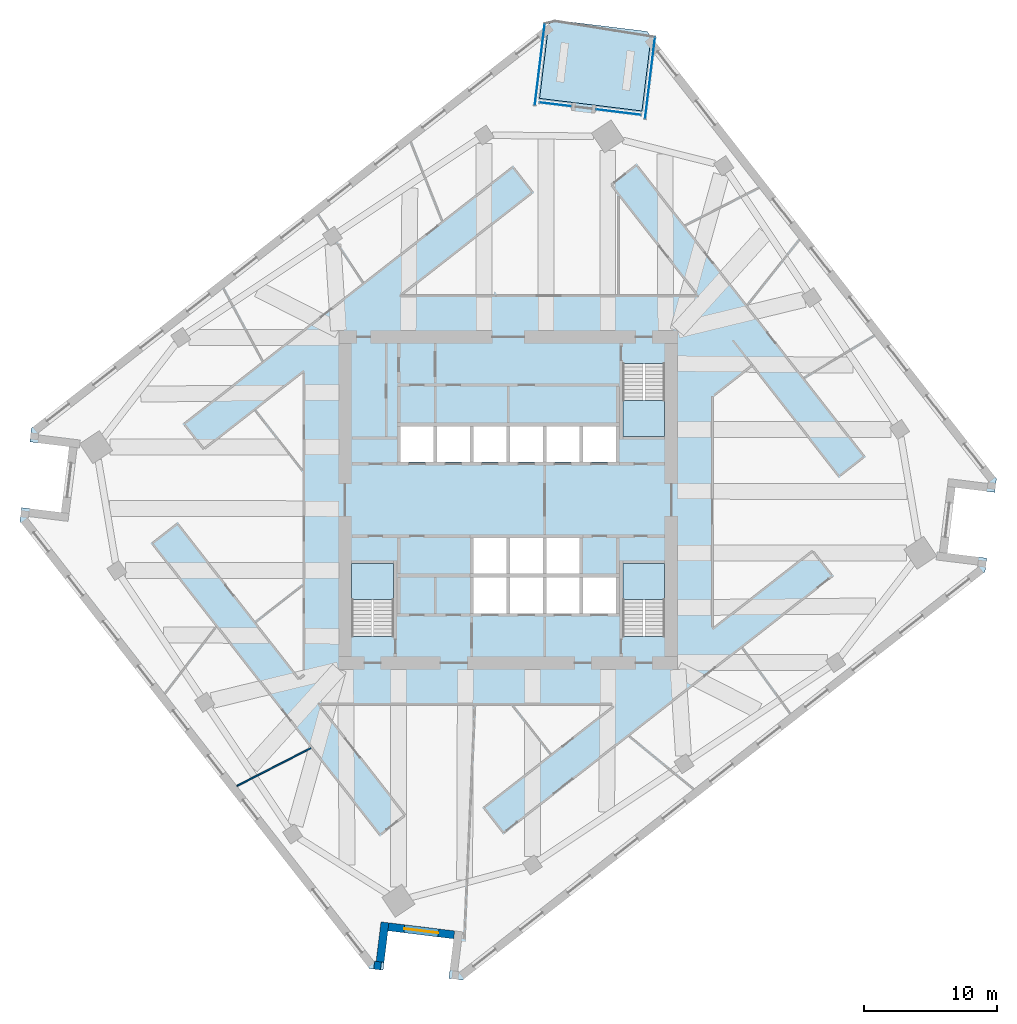
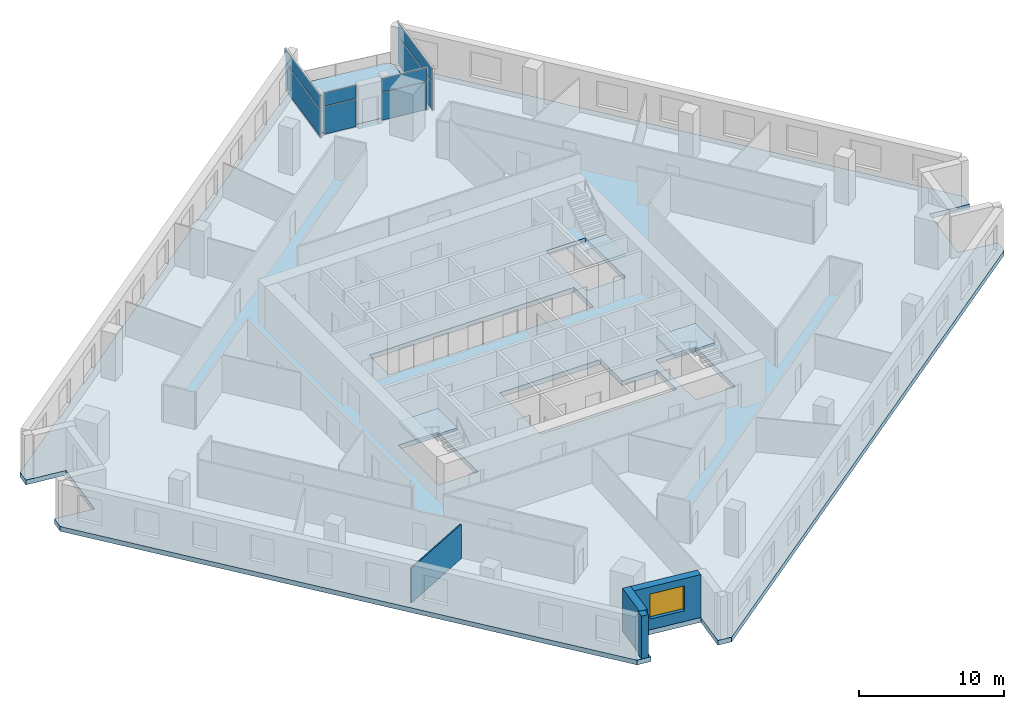
# One storey, part 3 of 11: 8 plates, 5 slabs, 4 walls, 1 window, 1 opening, 7 elements without a shape of their own.
"""IFC4 building model written with IfcOpenShell, lengths in metres."""

from ifc_helpers import new_model, si_unit, direction, frame, frame_2d, origin, origin_2d, place, context, subcontext, project, spatial, polyline, rectangle, outline, extrude, material, layer, layer_set, type_object, element, fill, aggregate, save


model = new_model("IFC4")

# Units and contexts
model_context = context("Model", 3, precision=1e-05, world=origin(), true_north=direction((0.0, 1.0)))
body_context = subcontext(model_context, "Body", "Model", "MODEL_VIEW")
ifc_project = project(units=[si_unit("LENGTHUNIT", "METRE"), si_unit("AREAUNIT", "SQUARE_METRE"), si_unit("VOLUMEUNIT", "CUBIC_METRE"), si_unit("PLANEANGLEUNIT", "RADIAN"), si_unit("MASSUNIT", "GRAM", prefix="KILO")], contexts=[model_context])

# Site, building, storey
site_placement = place(None, origin())
site = spatial("IfcSite", under=ifc_project, at=site_placement, CompositionType="ELEMENT")
building_placement = place(site_placement, origin())
building = spatial("IfcBuilding", under=site, at=building_placement, Name="Dilmun Exchange Tower", CompositionType="ELEMENT")
storey_placement = place(building_placement, frame((0.0, 0.0, 179.699951171875)))
storey = spatial("IfcBuildingStorey", under=building, at=storey_placement, Name="L42", CompositionType="ELEMENT", Elevation=179.699951171875)

# Stair, slab
ifc_material_1 = material(Name="Concrete C40/50", Category="concrete")
stair_type = type_object("IfcStairType", Name="Exit stair 1500 half-turn", PredefinedType="HALF_TURN_STAIR", material=ifc_material_1)
stair_1_placement = place(storey_placement, origin())
stair_1 = element("IfcStair", 1, at=stair_1_placement, inside=storey, type_object=stair_type, Name="L42 Protected exit stair ST1", PredefinedType="HALF_TURN_STAIR")
ifc_layer_1 = layer(ifc_material_1, 0.199951171875)
ifc_layer_set_1 = layer_set([ifc_layer_1], Name="Concrete C40/50")
slab_type_1 = type_object("IfcSlabType", Name="Exit stair landing 200", PredefinedType="LANDING", material=ifc_layer_set_1)
slab_1_placement = place(storey_placement, frame((0.0, 0.0, 1.800048828125)))
slab_1 = element("IfcSlab", 2, at=slab_1_placement, type_object=slab_type_1, Name="ST1 landing 1", PredefinedType="LANDING", context=body_context, shape_type="SweptSolid", body=[
    extrude(outline(polyline([(8.64990234375, 7.5), (8.64990234375, 4.800048828125), (11.800048828125, 4.800048828125), (11.800048828125, 7.5), (8.64990234375, 7.5)])), origin(), (0.0, 0.0, 1.0), 0.199951171875),
])
aggregate(stair_1, [slab_1])

stair_2_placement = place(storey_placement, origin())
stair_2 = element("IfcStair", 3, at=stair_2_placement, inside=storey, type_object=stair_type, Name="L42 Protected exit stair ST2", PredefinedType="HALF_TURN_STAIR")
slab_2_placement = place(storey_placement, frame((0.0, 0.0, 1.800048828125)))
slab_2 = element("IfcSlab", 4, at=slab_2_placement, type_object=slab_type_1, Name="ST2 landing 1", PredefinedType="LANDING", context=body_context, shape_type="SweptSolid", body=[
    extrude(outline(polyline([(-8.64990234375, -7.5), (-8.64990234375, -4.800048828125), (-11.800048828125, -4.800048828125), (-11.800048828125, -7.5), (-8.64990234375, -7.5)])), origin(), (0.0, 0.0, 1.0), 0.199951171875),
])
aggregate(stair_2, [slab_2])

stair_3_placement = place(storey_placement, origin())
stair_3 = element("IfcStair", 5, at=stair_3_placement, inside=storey, type_object=stair_type, Name="L42 Protected exit stair ST3", PredefinedType="HALF_TURN_STAIR")
slab_3_placement = place(storey_placement, frame((0.0, 0.0, 1.800048828125)))
slab_3 = element("IfcSlab", 6, at=slab_3_placement, type_object=slab_type_1, Name="ST3 landing 1", PredefinedType="LANDING", context=body_context, shape_type="SweptSolid", body=[
    extrude(outline(polyline([(11.800048828125, -7.5), (11.800048828125, -4.800048828125), (8.64990234375, -4.800048828125), (8.64990234375, -7.5), (11.800048828125, -7.5)])), origin(), (0.0, 0.0, 1.0), 0.199951171875),
])
aggregate(stair_3, [slab_3])

# Curtain wall, plates
ifc_material_2 = material(Name="Anodised aluminium and clear glass", Category="aluminium")
curtain_wall_type = type_object("IfcCurtainWallType", Name="Garden corner glazing", PredefinedType="NOTDEFINED", material=ifc_material_2)
curtain_wall_1_placement = place(storey_placement, origin())
curtain_wall_1 = element("IfcCurtainWall", 7, at=curtain_wall_1_placement, inside=storey, type_object=curtain_wall_type, Name="Garden corner glazing run GC1.1", PredefinedType="NOTDEFINED")
ifc_material_3 = material(Name="Clear glass", Category="glass")
ifc_layer_2 = layer(ifc_material_3, 0.028076171875)
ifc_layer_set_2 = layer_set([ifc_layer_2], Name="Clear glass")
plate_type = type_object("IfcPlateType", Name="Garden corner glazing glass panel 28", PredefinedType="CURTAIN_PANEL", material=ifc_layer_set_2)
plate_1_placement = place(storey_placement, frame((10.690185546875, 31.802734375, 0.06005859375), z_axis=(0.0, 0.0, 1.0), x_axis=(-0.121876913761, -0.992545222089, 0.0)))
plate_1 = element("IfcPlate", 8, at=plate_1_placement, type_object=plate_type, Name="GC1.1 panel 1.1", PredefinedType="CURTAIN_PANEL", context=body_context, shape_type="SweptSolid", body=[
    extrude(rectangle(XDim=6.12646484375, YDim=0.028076171875, at=origin_2d()), origin(), (0.0, 0.0, 1.0), 2.31005859375),
])
plate_2_placement = place(storey_placement, frame((10.690185546875, 31.802734375, 2.43017578125), z_axis=(0.0, 0.0, 1.0), x_axis=(-0.121876913761, -0.992545222089, 0.0)))
plate_2 = element("IfcPlate", 9, at=plate_2_placement, type_object=plate_type, Name="GC1.1 panel 1.2", PredefinedType="CURTAIN_PANEL", context=body_context, shape_type="SweptSolid", body=[
    extrude(rectangle(XDim=6.12646484375, YDim=0.028076171875, at=origin_2d()), origin(), (0.0, 0.0, 1.0), 1.110107421875),
])
aggregate(curtain_wall_1, [plate_1, plate_2])

curtain_wall_2_placement = place(storey_placement, origin())
curtain_wall_2 = element("IfcCurtainWall", 10, at=curtain_wall_2_placement, inside=storey, type_object=curtain_wall_type, Name="Garden corner glazing run GC2.1", PredefinedType="NOTDEFINED")
plate_3_placement = place(storey_placement, frame((8.316650390625, 29.249755859375, 0.06005859375), z_axis=(0.0, 0.0, 1.0), x_axis=(-0.992543211947, 0.121893282904, 0.0)))
plate_3 = element("IfcPlate", 11, at=plate_3_placement, type_object=plate_type, Name="GC2.1 panel 1.1", PredefinedType="CURTAIN_PANEL", context=body_context, shape_type="SweptSolid", body=[
    extrude(rectangle(XDim=3.369140625, YDim=0.028076171875, at=origin_2d()), origin(), (0.0, 0.0, 1.0), 2.31005859375),
])
plate_4_placement = place(storey_placement, frame((8.316650390625, 29.249755859375, 2.43017578125), z_axis=(0.0, 0.0, 1.0), x_axis=(-0.992543211947, 0.121893282904, 0.0)))
plate_4 = element("IfcPlate", 12, at=plate_4_placement, type_object=plate_type, Name="GC2.1 panel 1.2", PredefinedType="CURTAIN_PANEL", context=body_context, shape_type="SweptSolid", body=[
    extrude(rectangle(XDim=3.369140625, YDim=0.028076171875, at=origin_2d()), origin(), (0.0, 0.0, 1.0), 1.110107421875),
])
aggregate(curtain_wall_2, [plate_3, plate_4])

curtain_wall_3_placement = place(storey_placement, origin())
curtain_wall_3 = element("IfcCurtainWall", 13, at=curtain_wall_3_placement, inside=storey, type_object=curtain_wall_type, Name="Garden corner glazing run GC2.3", PredefinedType="NOTDEFINED")
plate_5_placement = place(storey_placement, frame((3.563232421875, 29.83349609375, 0.06005859375), z_axis=(0.0, 0.0, 1.0), x_axis=(-0.992543199455, 0.121893384625, 0.0)))
plate_5 = element("IfcPlate", 14, at=plate_5_placement, type_object=plate_type, Name="GC2.3 panel 1.1", PredefinedType="CURTAIN_PANEL", context=body_context, shape_type="SweptSolid", body=[
    extrude(rectangle(XDim=2.369140625, YDim=0.028076171875, at=origin_2d()), origin(), (0.0, 0.0, 1.0), 2.31005859375),
])
plate_6_placement = place(storey_placement, frame((3.563232421875, 29.83349609375, 2.43017578125), z_axis=(0.0, 0.0, 1.0), x_axis=(-0.992543199455, 0.121893384625, 0.0)))
plate_6 = element("IfcPlate", 15, at=plate_6_placement, type_object=plate_type, Name="GC2.3 panel 1.2", PredefinedType="CURTAIN_PANEL", context=body_context, shape_type="SweptSolid", body=[
    extrude(rectangle(XDim=2.369140625, YDim=0.028076171875, at=origin_2d()), origin(), (0.0, 0.0, 1.0), 1.110107421875),
])
aggregate(curtain_wall_3, [plate_5, plate_6])

curtain_wall_4_placement = place(storey_placement, origin())
curtain_wall_4 = element("IfcCurtainWall", 16, at=curtain_wall_4_placement, inside=storey, type_object=curtain_wall_type, Name="Garden corner glazing run GC3.1", PredefinedType="NOTDEFINED")
plate_7_placement = place(storey_placement, frame((2.37451171875, 32.82373046875, 0.06005859375), z_axis=(0.0, 0.0, 1.0), x_axis=(0.12186114246, 0.992547158556, 0.0)))
plate_7 = element("IfcPlate", 17, at=plate_7_placement, type_object=plate_type, Name="GC3.1 panel 1.1", PredefinedType="CURTAIN_PANEL", context=body_context, shape_type="SweptSolid", body=[
    extrude(rectangle(XDim=6.12646484375, YDim=0.028076171875, at=origin_2d()), origin(), (0.0, 0.0, 1.0), 2.31005859375),
])
plate_8_placement = place(storey_placement, frame((2.37451171875, 32.82373046875, 2.43017578125), z_axis=(0.0, 0.0, 1.0), x_axis=(0.12186114246, 0.992547158556, 0.0)))
plate_8 = element("IfcPlate", 18, at=plate_8_placement, type_object=plate_type, Name="GC3.1 panel 1.2", PredefinedType="CURTAIN_PANEL", context=body_context, shape_type="SweptSolid", body=[
    extrude(rectangle(XDim=6.12646484375, YDim=0.028076171875, at=origin_2d()), origin(), (0.0, 0.0, 1.0), 1.110107421875),
])
aggregate(curtain_wall_4, [plate_7, plate_8])

# Slabs
ifc_layer_3 = layer(ifc_material_1, 0.39990234375)
ifc_layer_set_3 = layer_set([ifc_layer_3], Name="Concrete C40/50")
slab_type_2 = type_object("IfcSlabType", Name="RC floor slab 400", PredefinedType="FLOOR", material=ifc_layer_set_3)
slab_4_placement = place(storey_placement, frame((0.0, 0.0, -0.39990234375)))
element("IfcSlab", 19, at=slab_4_placement, inside=storey, type_object=slab_type_2, Name="Floor slab", PredefinedType="FLOOR", context=body_context, shape_type="SweptSolid", body=[
    extrude(outline(polyline([(36.689208984375, 0.57861328125), (33.711669921875, 0.944091796875), (33.102294921875, -4.0185546875), (36.079833984375, -4.384033203125), (35.95361328125, -5.411865234375), (-3.44677734375, -36.195068359375), (-4.474609375, -36.06884765625), (-4.10888671875, -33.09130859375), (-9.07177734375, -32.481689453125), (-9.4375, -35.45947265625), (-10.465087890625, -35.333251953125), (-36.8154296875, -1.6064453125), (-36.689208984375, -0.57861328125), (-33.711669921875, -0.944091796875), (-33.102294921875, 4.0185546875), (-36.079833984375, 4.384033203125), (-35.95361328125, 5.411865234375), (3.052734375, 35.88720703125), (2.36474609375, 30.28271484375), (10.0849609375, 29.3349609375), (10.77294921875, 34.939208984375), (36.8154296875, 1.6064453125), (36.689208984375, 0.57861328125)]), holes=[polyline([(-8.64990234375, -4.800048828125), (-11.800048828125, -4.800048828125), (-11.800048828125, -10.294921875), (-8.64990234375, -10.294921875), (-8.64990234375, -4.800048828125)]), polyline([(11.800048828125, -4.800048828125), (8.64990234375, -4.800048828125), (8.64990234375, -10.294921875), (11.800048828125, -10.294921875), (11.800048828125, -4.800048828125)]), polyline([(5.375, -2.85009765625), (-2.625, -2.85009765625), (-2.625, -8.550048828125), (8.125, -8.550048828125), (8.125, -5.85009765625), (5.375, -5.85009765625), (5.375, -2.85009765625)]), polyline([(8.125, 2.85009765625), (8.125, 5.550048828125), (-8.125, 5.550048828125), (-8.125, 2.85009765625), (8.125, 2.85009765625)]), polyline([(8.64990234375, 10.294921875), (8.64990234375, 4.800048828125), (11.800048828125, 4.800048828125), (11.800048828125, 10.294921875), (8.64990234375, 10.294921875)])]), origin(), (0.0, 0.0, 1.0), 0.39990234375),
])
ifc_layer_4 = layer(ifc_material_1, 0.300048828125)
ifc_layer_set_4 = layer_set([ifc_layer_4], Name="Concrete C40/50")
slab_type_3 = type_object("IfcSlabType", Name="RC garden terrace slab 300", PredefinedType="FLOOR", material=ifc_layer_set_4)
slab_5_placement = place(storey_placement, frame((0.0, 0.0, -0.300048828125)))
element("IfcSlab", 20, at=slab_5_placement, inside=storey, type_object=slab_type_3, Name="Garden terrace slab", PredefinedType="FLOOR", context=body_context, shape_type="SweptSolid", body=[
    extrude(outline(polyline([(2.36474609375, 30.28271484375), (3.052734375, 35.88720703125), (3.44677734375, 36.195068359375), (10.465087890625, 35.333251953125), (10.77294921875, 34.939208984375), (10.0849609375, 29.3349609375), (2.36474609375, 30.28271484375)])), origin(), (0.0, 0.0, 1.0), 0.300048828125),
])

# Walls
ifc_material_4 = material(Name="Partition 100")
ifc_layer_5 = layer(ifc_material_4, 0.10009765625)
ifc_layer_set_5 = layer_set([ifc_layer_5], Name="Partition 100")
wall_type_1 = type_object("IfcWallType", Name="Partition 100", PredefinedType="PARTITIONING", material=ifc_layer_set_5)
wall_1_placement = place(storey_placement, frame((-20.460693359375, -21.561767578125, 0.0), z_axis=(0.0, 0.0, 1.0), x_axis=(0.890433278589, 0.455113805966, 0.0)))
element("IfcWall", 21, at=wall_1_placement, inside=storey, type_object=wall_type_1, Name="Partition", PredefinedType="PARTITIONING", context=body_context, shape_type="SweptSolid", body=[
    extrude(rectangle(XDim=6.265625, YDim=0.10009765625, at=frame_2d((3.1328125, 0.0))), origin(), (0.0, 0.0, 1.0), 2.900146484375),
])
ifc_material_5 = material(Name="Precast concrete C50/60", Category="concrete")
ifc_layer_6 = layer(ifc_material_5, 0.60009765625)
ifc_layer_set_6 = layer_set([ifc_layer_6], Name="Precast concrete C50/60")
wall_type_2 = type_object("IfcWallType", Name="Precast stone-clad wall 600", PredefinedType="STANDARD", material=ifc_layer_set_6)
wall_2_placement = place(storey_placement, frame((-10.106689453125, -35.074951171875, 0.0), z_axis=(0.0, 0.0, 1.0), x_axis=(0.992554603024, -0.121800492671, 0.0)))
element("IfcWall", 22, at=wall_2_placement, inside=storey, type_object=wall_type_2, Name="Facade wall L42-10", PredefinedType="STANDARD", context=body_context, shape_type="SweptSolid", body=[
    extrude(rectangle(XDim=0.51123046875, YDim=0.60009765625, at=frame_2d((0.255615234375, 0.0))), origin(), (0.0, 0.0, 1.0), 3.60009765625),
])
wall_3_placement = place(storey_placement, frame((-9.662109375, -34.827392578125, 0.0), z_axis=(0.0, 0.0, 1.0), x_axis=(0.121901146576, 0.992542246186, 0.0)))
element("IfcWall", 23, at=wall_3_placement, inside=storey, type_object=wall_type_2, Name="Facade wall L42-11", PredefinedType="STANDARD", context=body_context, shape_type="SweptSolid", body=[
    extrude(rectangle(XDim=3.000244140625, YDim=0.60009765625, at=frame_2d((1.5, 0.0))), origin(), (0.0, 0.0, 1.0), 3.60009765625),
])

# Wall, opening, window
wall_4_placement = place(storey_placement, frame((-9.03515625, -32.18408203125, 0.0), z_axis=(0.0, 0.0, 1.0), x_axis=(0.992545217041, -0.121876954874, 0.0)))
wall_4 = element("IfcWall", 24, at=wall_4_placement, inside=storey, type_object=wall_type_2, Name="Facade wall L42-12", PredefinedType="STANDARD", context=body_context, shape_type="SweptSolid", body=[
    extrude(rectangle(XDim=5.0, YDim=0.60009765625, at=frame_2d((2.5, 0.0))), origin(), (0.0, 0.0, 1.0), 3.60009765625),
])
opening_placement = place(wall_4_placement, frame((1.199951171875, 0.0, 0.89990234375)))
opening = element("IfcOpeningElement", 25, at=opening_placement, cuts=wall_4, Name="Opening W260-210", PredefinedType="OPENING", context=body_context, shape_type="SweptSolid", body=[
    extrude(rectangle(XDim=2.60009765625, YDim=2.10009765625, at=frame_2d((1.300048828125, 1.050048828125))), frame((0.0, 0.31005859375, 0.0), z_axis=(0.0, -1.0, 0.0), x_axis=(1.0, 0.0, 0.0)), (0.0, 0.0, 1.0), 0.6201171875),
])
ifc_material_6 = material(Name="Clear low-emissivity glass in aluminium frame", Category="aluminium")
window_type = type_object("IfcWindowType", Name="Punched window 2600 x 2100", PartitioningType="DOUBLE_PANEL_VERTICAL", PredefinedType="WINDOW", material=ifc_material_6)
window_placement = place(opening_placement, origin())
window = element("IfcWindow", 26, at=window_placement, inside=storey, type_object=window_type, Name="Window 13.1", OverallHeight=2.10009765625, OverallWidth=2.60009765625, PartitioningType="SINGLE_PANEL", PredefinedType="WINDOW", context=body_context, shape_type="SweptSolid", body=[
    extrude(rectangle(XDim=2.60009765625, YDim=2.10009765625, at=frame_2d((1.300048828125, 1.050048828125))), frame((0.0, 0.030029296875, 0.0), z_axis=(0.0, -1.0, 0.0), x_axis=(1.0, 0.0, 0.0)), (0.0, 0.0, 1.0), 0.06005859375),
])
fill(opening, window)

save(model, "model.ifc")
